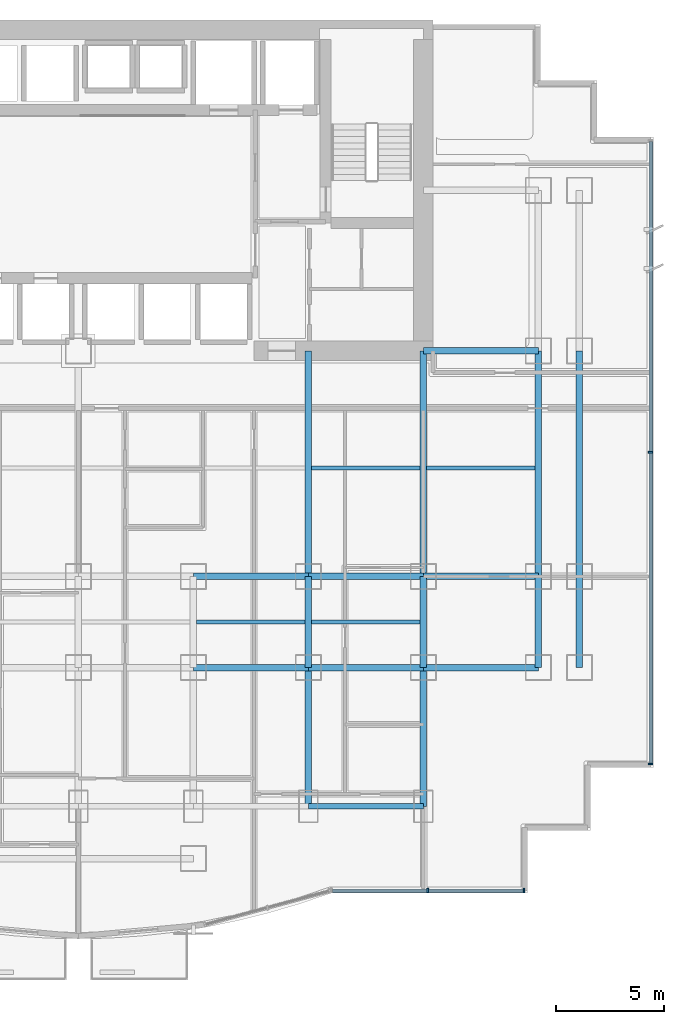
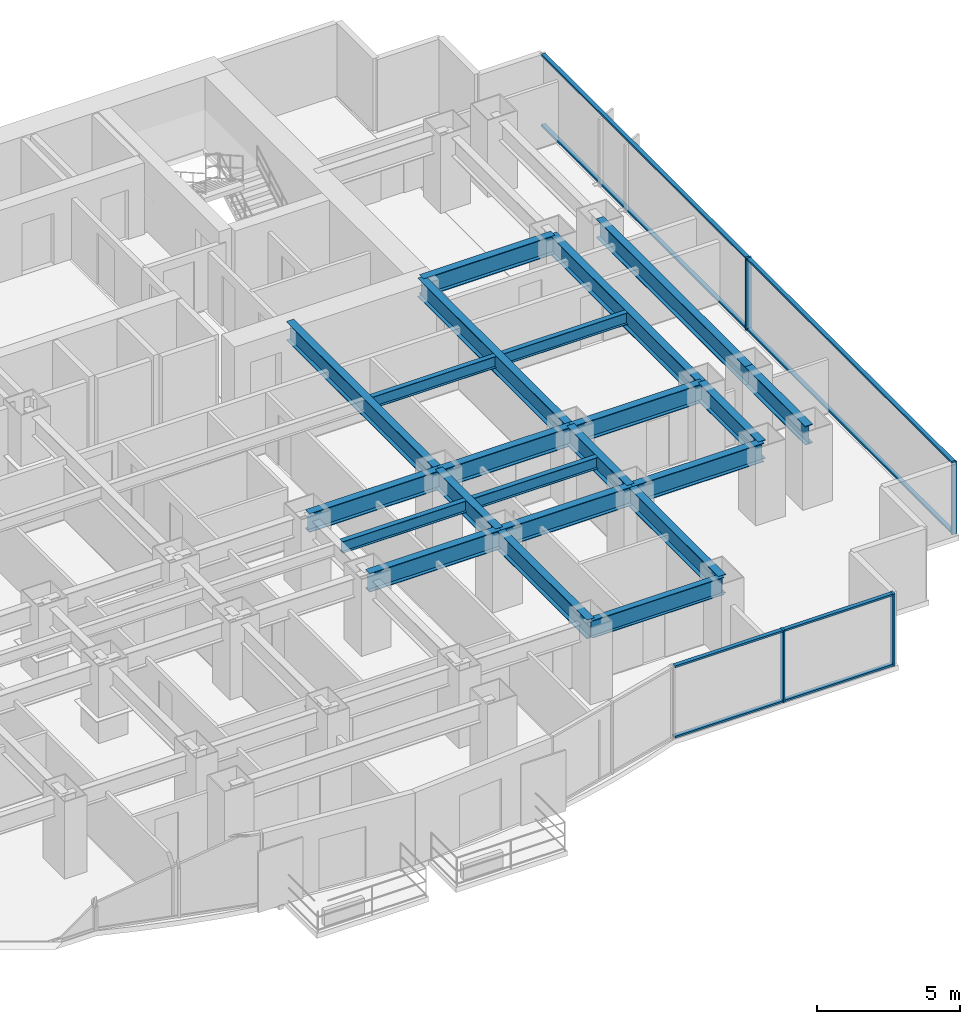
# One storey, part 3 of 12: 22 beams, 12 members, 2 elements without a shape of their own.
"""IFC4 building model written with IfcOpenShell, lengths in metres."""

from ifc_helpers import new_model, si_unit, direction, frame, origin, origin_2d, place, context, subcontext, project, spatial, rectangle, i_section, extrude, source, transform, mapped, material, layer, layer_set, material_profile, profile_set, type_object, element, aggregate, save


model = new_model("IFC4")

# Units and contexts
model_context = context("Model", 3, precision=1e-05, world=origin(), true_north=direction((0.0, 1.0)))
body_context = subcontext(model_context, "Body", "Model", "MODEL_VIEW")
ifc_project = project(units=[si_unit("LENGTHUNIT", "METRE"), si_unit("AREAUNIT", "SQUARE_METRE"), si_unit("VOLUMEUNIT", "CUBIC_METRE"), si_unit("PLANEANGLEUNIT", "RADIAN"), si_unit("MASSUNIT", "GRAM", prefix="KILO")], contexts=[model_context])

# Site, building, storey
site_placement = place(None, origin())
site = spatial("IfcSite", under=ifc_project, at=site_placement, CompositionType="ELEMENT")
building_placement = place(site_placement, origin())
building = spatial("IfcBuilding", under=site, at=building_placement, Name="Qianlan Lanfeng Residences", CompositionType="ELEMENT")
storey_placement = place(building_placement, frame((0.0, 0.0, 47.300048828125)))
storey = spatial("IfcBuildingStorey", under=building, at=storey_placement, Name="L12", CompositionType="ELEMENT", Elevation=47.300048828125)

# Beams
ifc_material_1 = material(Name="Steel SN490B", Category="steel")
ifc_material_profile_1 = material_profile(ifc_material_1, i_section(OverallWidth=0.300048828125, OverallDepth=0.800048828125, WebThickness=0.01611328125, FlangeThickness=0.028076171875, at=origin_2d()), Name="H 800x300x16x28")
ifc_profile_set_1 = profile_set([ifc_material_profile_1], Name="Steel SN490B")
beam_type_1 = type_object("IfcBeamType", Name="G-950", PredefinedType="BEAM", material=ifc_profile_set_1)
beam_1_placement = place(storey_placement, frame((31.800048828125, 10.60009765625, 2.679931640625), z_axis=(1.0, 0.0, 0.0), x_axis=(0.0, 1.0, 0.0)))
element("IfcBeam", 1, at=beam_1_placement, inside=storey, type_object=beam_type_1, Name="Structural beam G-950", PredefinedType="BEAM", context=body_context, shape_type="SweptSolid", body=[
    extrude(i_section(OverallWidth=0.300048828125, OverallDepth=0.800048828125, WebThickness=0.01611328125, FlangeThickness=0.028076171875, at=origin_2d()), origin(), (0.0, 0.0, 1.0), 5.300048828125),
])
beam_2_placement = place(storey_placement, frame((37.10009765625, 10.60009765625, 2.679931640625), z_axis=(1.0, 0.0, 0.0), x_axis=(0.0, 1.0, 0.0)))
element("IfcBeam", 2, at=beam_2_placement, inside=storey, type_object=beam_type_1, Name="Structural beam G-950", PredefinedType="BEAM", context=body_context, shape_type="SweptSolid", body=[
    extrude(i_section(OverallWidth=0.300048828125, OverallDepth=0.800048828125, WebThickness=0.01611328125, FlangeThickness=0.028076171875, at=origin_2d()), origin(), (0.0, 0.0, 1.0), 5.2998046875),
])
for number, where, z_axis, x_axis, name in (
    (3, (42.39990234375, 10.60009765625, 2.679931640625), (1.0, 0.0, 0.0), (0.0, 1.0, 0.0), "Structural beam G-950"),
    (4, (31.800048828125, 14.800048828125, 2.679931640625), (1.0, 0.0, 0.0), (0.0, 1.0, 0.0), "Structural beam G-950"),
):
    element("IfcBeam", number, at=place(storey_placement, frame(where, z_axis=z_axis, x_axis=x_axis)), inside=storey, type_object=beam_type_1, Name=name, PredefinedType="BEAM", context=body_context, shape_type="SweptSolid", body=[
        extrude(i_section(OverallWidth=0.300048828125, OverallDepth=0.800048828125, WebThickness=0.01611328125, FlangeThickness=0.028076171875, at=origin_2d()), origin(), (0.0, 0.0, 1.0), 5.300048828125),
    ])
beam_3_placement = place(storey_placement, frame((37.10009765625, 14.800048828125, 2.679931640625), z_axis=(1.0, 0.0, 0.0), x_axis=(0.0, 1.0, 0.0)))
element("IfcBeam", 5, at=beam_3_placement, inside=storey, type_object=beam_type_1, Name="Structural beam G-950", PredefinedType="BEAM", context=body_context, shape_type="SweptSolid", body=[
    extrude(i_section(OverallWidth=0.300048828125, OverallDepth=0.800048828125, WebThickness=0.01611328125, FlangeThickness=0.028076171875, at=origin_2d()), origin(), (0.0, 0.0, 1.0), 5.2998046875),
])
for number, where, z_axis, x_axis, name in (
    (6, (42.39990234375, 14.800048828125, 2.679931640625), (1.0, 0.0, 0.0), (0.0, 1.0, 0.0), "Structural beam G-950"),
    (7, (42.39990234375, 25.199951171875, 2.679931640625), (1.0, 0.0, 0.0), (0.0, 1.0, 0.0), "Structural beam G-950"),
):
    element("IfcBeam", number, at=place(storey_placement, frame(where, z_axis=z_axis, x_axis=x_axis)), inside=storey, type_object=beam_type_1, Name=name, PredefinedType="BEAM", context=body_context, shape_type="SweptSolid", body=[
        extrude(i_section(OverallWidth=0.300048828125, OverallDepth=0.800048828125, WebThickness=0.01611328125, FlangeThickness=0.028076171875, at=origin_2d()), origin(), (0.0, 0.0, 1.0), 5.300048828125),
    ])
beam_4_placement = place(storey_placement, frame((37.10009765625, 4.199951171875, 2.679931640625), z_axis=(0.0, 1.0, 0.0), x_axis=(-1.0, 0.0, 0.0)))
element("IfcBeam", 8, at=beam_4_placement, inside=storey, type_object=beam_type_1, Name="Structural beam G-950", PredefinedType="BEAM", context=body_context, shape_type="SweptSolid", body=[
    extrude(i_section(OverallWidth=0.300048828125, OverallDepth=0.800048828125, WebThickness=0.01611328125, FlangeThickness=0.028076171875, at=origin_2d()), origin(), (0.0, 0.0, 1.0), 6.400146484375),
])
beam_5_placement = place(storey_placement, frame((37.10009765625, 10.60009765625, 2.679931640625), z_axis=(0.0, 1.0, 0.0), x_axis=(-1.0, 0.0, 0.0)))
element("IfcBeam", 9, at=beam_5_placement, inside=storey, type_object=beam_type_1, Name="Structural beam G-950", PredefinedType="BEAM", context=body_context, shape_type="SweptSolid", body=[
    extrude(i_section(OverallWidth=0.300048828125, OverallDepth=0.800048828125, WebThickness=0.01611328125, FlangeThickness=0.028076171875, at=origin_2d()), origin(), (0.0, 0.0, 1.0), 4.199951171875),
])
beam_6_placement = place(storey_placement, frame((37.10009765625, 14.800048828125, 2.679931640625), z_axis=(0.0, 1.0, 0.0), x_axis=(-1.0, 0.0, 0.0)))
element("IfcBeam", 10, at=beam_6_placement, inside=storey, type_object=beam_type_1, Name="Structural beam G-950", PredefinedType="BEAM", context=body_context, shape_type="SweptSolid", body=[
    extrude(i_section(OverallWidth=0.300048828125, OverallDepth=0.800048828125, WebThickness=0.01611328125, FlangeThickness=0.028076171875, at=origin_2d()), origin(), (0.0, 0.0, 1.0), 10.39990234375),
])
beam_7_placement = place(storey_placement, frame((42.39990234375, 4.199951171875, 2.679931640625), z_axis=(0.0, 1.0, 0.0), x_axis=(-1.0, 0.0, 0.0)))
element("IfcBeam", 11, at=beam_7_placement, inside=storey, type_object=beam_type_1, Name="Structural beam G-950", PredefinedType="BEAM", context=body_context, shape_type="SweptSolid", body=[
    extrude(i_section(OverallWidth=0.300048828125, OverallDepth=0.800048828125, WebThickness=0.01611328125, FlangeThickness=0.028076171875, at=origin_2d()), origin(), (0.0, 0.0, 1.0), 6.400146484375),
])
beam_8_placement = place(storey_placement, frame((42.39990234375, 10.60009765625, 2.679931640625), z_axis=(0.0, 1.0, 0.0), x_axis=(-1.0, 0.0, 0.0)))
element("IfcBeam", 12, at=beam_8_placement, inside=storey, type_object=beam_type_1, Name="Structural beam G-950", PredefinedType="BEAM", context=body_context, shape_type="SweptSolid", body=[
    extrude(i_section(OverallWidth=0.300048828125, OverallDepth=0.800048828125, WebThickness=0.01611328125, FlangeThickness=0.028076171875, at=origin_2d()), origin(), (0.0, 0.0, 1.0), 4.199951171875),
])
beam_9_placement = place(storey_placement, frame((42.39990234375, 14.800048828125, 2.679931640625), z_axis=(0.0, 1.0, 0.0), x_axis=(-1.0, 0.0, 0.0)))
element("IfcBeam", 13, at=beam_9_placement, inside=storey, type_object=beam_type_1, Name="Structural beam G-950", PredefinedType="BEAM", context=body_context, shape_type="SweptSolid", body=[
    extrude(i_section(OverallWidth=0.300048828125, OverallDepth=0.800048828125, WebThickness=0.01611328125, FlangeThickness=0.028076171875, at=origin_2d()), origin(), (0.0, 0.0, 1.0), 10.39990234375),
])
beam_10_placement = place(storey_placement, frame((47.699951171875, 10.60009765625, 2.679931640625), z_axis=(0.0, 1.0, 0.0), x_axis=(-1.0, 0.0, 0.0)))
element("IfcBeam", 14, at=beam_10_placement, inside=storey, type_object=beam_type_1, Name="Structural beam G-950", PredefinedType="BEAM", context=body_context, shape_type="SweptSolid", body=[
    extrude(i_section(OverallWidth=0.300048828125, OverallDepth=0.800048828125, WebThickness=0.01611328125, FlangeThickness=0.028076171875, at=origin_2d()), origin(), (0.0, 0.0, 1.0), 4.199951171875),
])
beam_11_placement = place(storey_placement, frame((47.699951171875, 14.800048828125, 2.679931640625), z_axis=(0.0, 1.0, 0.0), x_axis=(-1.0, 0.0, 0.0)))
element("IfcBeam", 15, at=beam_11_placement, inside=storey, type_object=beam_type_1, Name="Structural beam G-950", PredefinedType="BEAM", context=body_context, shape_type="SweptSolid", body=[
    extrude(i_section(OverallWidth=0.300048828125, OverallDepth=0.800048828125, WebThickness=0.01611328125, FlangeThickness=0.028076171875, at=origin_2d()), origin(), (0.0, 0.0, 1.0), 10.39990234375),
])
beam_12_placement = place(storey_placement, frame((49.60009765625, 10.60009765625, 2.679931640625), z_axis=(0.0, 1.0, 0.0), x_axis=(-1.0, 0.0, 0.0)))
element("IfcBeam", 16, at=beam_12_placement, inside=storey, type_object=beam_type_1, Name="Structural beam G-950", PredefinedType="BEAM", context=body_context, shape_type="SweptSolid", body=[
    extrude(i_section(OverallWidth=0.300048828125, OverallDepth=0.800048828125, WebThickness=0.01611328125, FlangeThickness=0.028076171875, at=origin_2d()), origin(), (0.0, 0.0, 1.0), 4.199951171875),
])
beam_13_placement = place(storey_placement, frame((49.60009765625, 14.800048828125, 2.679931640625), z_axis=(0.0, 1.0, 0.0), x_axis=(-1.0, 0.0, 0.0)))
element("IfcBeam", 17, at=beam_13_placement, inside=storey, type_object=beam_type_1, Name="Structural beam G-950", PredefinedType="BEAM", context=body_context, shape_type="SweptSolid", body=[
    extrude(i_section(OverallWidth=0.300048828125, OverallDepth=0.800048828125, WebThickness=0.01611328125, FlangeThickness=0.028076171875, at=origin_2d()), origin(), (0.0, 0.0, 1.0), 10.39990234375),
])
ifc_material_profile_2 = material_profile(ifc_material_1, i_section(OverallWidth=0.199951171875, OverallDepth=0.5, WebThickness=0.010009765625, FlangeThickness=0.01611328125, at=origin_2d()), Name="H 500x200x10x16")
ifc_profile_set_2 = profile_set([ifc_material_profile_2], Name="Steel SN490B")
beam_type_2 = type_object("IfcBeamType", Name="J-500", PredefinedType="JOIST", material=ifc_profile_set_2)
for number, where, z_axis, x_axis, name in (
    (18, (31.949951171875, 12.699951171875, 2.829833984375), (1.0, 0.0, 0.0), (0.0, 1.0, 0.0), "Structural beam J-500"),
    (19, (37.25, 12.699951171875, 2.829833984375), (1.0, 0.0, 0.0), (0.0, 1.0, 0.0), "Structural beam J-500"),
    (20, (37.25, 19.800048828125, 2.829833984375), (1.0, 0.0, 0.0), (0.0, 1.0, 0.0), "Structural beam J-500"),
    (21, (42.550048828125, 19.800048828125, 2.829833984375), (1.0, 0.0, 0.0), (0.0, 1.0, 0.0), "Structural beam J-500"),
):
    element("IfcBeam", number, at=place(storey_placement, frame(where, z_axis=z_axis, x_axis=x_axis)), inside=storey, type_object=beam_type_2, Name=name, PredefinedType="JOIST", context=body_context, shape_type="SweptSolid", body=[
        extrude(i_section(OverallWidth=0.199951171875, OverallDepth=0.5, WebThickness=0.010009765625, FlangeThickness=0.01611328125, at=origin_2d()), origin(), (0.0, 0.0, 1.0), 5.0),
    ])
ifc_material_profile_3 = material_profile(ifc_material_1, i_section(OverallWidth=0.25, OverallDepth=0.75, WebThickness=0.013916015625, FlangeThickness=0.02490234375, at=origin_2d()), Name="H 750x250x14x25")
ifc_profile_set_3 = profile_set([ifc_material_profile_3], Name="Steel SN490B")
beam_type_3 = type_object("IfcBeamType", Name="SG-850", PredefinedType="SPANDREL", material=ifc_profile_set_3)
beam_14_placement = place(storey_placement, frame((37.10009765625, 4.199951171875, 2.704833984375), z_axis=(1.0, 0.0, 0.0), x_axis=(0.0, 1.0, 0.0)))
element("IfcBeam", 22, at=beam_14_placement, inside=storey, type_object=beam_type_3, Name="Structural beam SG-850", PredefinedType="SPANDREL", context=body_context, shape_type="SweptSolid", body=[
    extrude(i_section(OverallWidth=0.25, OverallDepth=0.75, WebThickness=0.013916015625, FlangeThickness=0.02490234375, at=origin_2d()), origin(), (0.0, 0.0, 1.0), 5.2998046875),
])

# Curtain wall, members
ifc_material_2 = material(Name="Anodised Bronze Aluminium 6063-T6", Category="aluminium")
ifc_layer = layer(ifc_material_2, 0.219970703125)
ifc_layer_set = layer_set([ifc_layer], Name="Anodised Bronze Aluminium 6063-T6")
curtain_wall_type = type_object("IfcCurtainWallType", Name="CW-02", PredefinedType="NOTDEFINED", material=ifc_layer_set)
curtain_wall_1_placement = place(storey_placement, origin())
curtain_wall_1 = element("IfcCurtainWall", 23, at=curtain_wall_1_placement, inside=storey, type_object=curtain_wall_type, Name="L12 Unitised Curtain Wall CWR-L12-04 (CW-02)", PredefinedType="NOTDEFINED")
ifc_material_profile_4 = material_profile(ifc_material_2, rectangle(XDim=0.080078125, YDim=0.159912109375, at=origin_2d()), Name="ALU TRANSOM 80x160")
ifc_profile_set_4 = profile_set([ifc_material_profile_4], Name="Anodised Bronze Aluminium 6063-T6")
member_type_1 = type_object("IfcMemberType", Name="CWT-180", PredefinedType="USERDEFINED", material=ifc_profile_set_4)
shared_shape_1 = source(origin(), body_context, "Body", "SweptSolid", [
    extrude(rectangle(XDim=0.080078125, YDim=0.159912109375, at=origin_2d()), origin(), (0.0, 0.0, 1.0), 4.35498046875),
])
member_1_placement = place(storey_placement, frame((38.2099609375, 0.320068359375, 0.0400390625), z_axis=(1.0, 0.0, 0.0), x_axis=(0.0, 0.0, 1.0)))
member_1 = element("IfcMember", 24, at=member_1_placement, type_object=member_type_1, Name="CWR-L12-04 Transom 1-BOT", ObjectType="TRANSOM", PredefinedType="USERDEFINED", context=body_context, shape_type="MappedRepresentation", body=[
    mapped(shared_shape_1, transform((0.0, 0.0, 0.0), scale=1.0)),
])
member_2_placement = place(storey_placement, frame((38.2099609375, 0.320068359375, 3.0400390625), z_axis=(1.0, 0.0, 0.0), x_axis=(0.0, 0.0, 1.0)))
member_2 = element("IfcMember", 25, at=member_2_placement, type_object=member_type_1, Name="CWR-L12-04 Transom 1-TOP", ObjectType="TRANSOM", PredefinedType="USERDEFINED", context=body_context, shape_type="MappedRepresentation", body=[
    mapped(shared_shape_1, transform((0.0, 0.0, 0.0), scale=1.0)),
])
member_3_placement = place(storey_placement, frame((42.64501953125, 0.320068359375, 0.0400390625), z_axis=(1.0, 0.0, 0.0), x_axis=(0.0, 0.0, 1.0)))
member_3 = element("IfcMember", 26, at=member_3_placement, type_object=member_type_1, Name="CWR-L12-04 Transom 2-BOT", ObjectType="TRANSOM", PredefinedType="USERDEFINED", context=body_context, shape_type="MappedRepresentation", body=[
    mapped(shared_shape_1, transform((0.0, 0.0, 0.0), scale=1.0)),
])
member_4_placement = place(storey_placement, frame((42.64501953125, 0.320068359375, 3.0400390625), z_axis=(1.0, 0.0, 0.0), x_axis=(0.0, 0.0, 1.0)))
member_4 = element("IfcMember", 27, at=member_4_placement, type_object=member_type_1, Name="CWR-L12-04 Transom 2-TOP", ObjectType="TRANSOM", PredefinedType="USERDEFINED", context=body_context, shape_type="MappedRepresentation", body=[
    mapped(shared_shape_1, transform((0.0, 0.0, 0.0), scale=1.0)),
])

curtain_wall_2_placement = place(storey_placement, origin())
curtain_wall_2 = element("IfcCurtainWall", 28, at=curtain_wall_2_placement, inside=storey, type_object=curtain_wall_type, Name="L12 Unitised Curtain Wall CWR-L12-05 (CW-02)", PredefinedType="NOTDEFINED")
shared_shape_2 = source(origin(), body_context, "Body", "SweptSolid", [
    extrude(rectangle(XDim=0.080078125, YDim=0.159912109375, at=origin_2d()), origin(), (0.0, 0.0, 1.0), 14.28515625),
])
member_5_placement = place(storey_placement, frame((52.8798828125, 6.199951171875, 0.0400390625), z_axis=(0.0, 1.0, 0.0), x_axis=(0.0, 0.0, 1.0)))
member_5 = element("IfcMember", 29, at=member_5_placement, type_object=member_type_1, Name="CWR-L12-05 Transom 1-BOT", ObjectType="TRANSOM", PredefinedType="USERDEFINED", context=body_context, shape_type="MappedRepresentation", body=[
    mapped(shared_shape_2, transform((0.0, 0.0, 0.0), scale=1.0)),
])
member_6_placement = place(storey_placement, frame((52.8798828125, 6.199951171875, 3.0400390625), z_axis=(0.0, 1.0, 0.0), x_axis=(0.0, 0.0, 1.0)))
member_6 = element("IfcMember", 30, at=member_6_placement, type_object=member_type_1, Name="CWR-L12-05 Transom 1-TOP", ObjectType="TRANSOM", PredefinedType="USERDEFINED", context=body_context, shape_type="MappedRepresentation", body=[
    mapped(shared_shape_2, transform((0.0, 0.0, 0.0), scale=1.0)),
])
member_7_placement = place(storey_placement, frame((52.8798828125, 20.56494140625, 0.0400390625), z_axis=(0.0, 1.0, 0.0), x_axis=(0.0, 0.0, 1.0)))
member_7 = element("IfcMember", 31, at=member_7_placement, type_object=member_type_1, Name="CWR-L12-05 Transom 2-BOT", ObjectType="TRANSOM", PredefinedType="USERDEFINED", context=body_context, shape_type="MappedRepresentation", body=[
    mapped(shared_shape_2, transform((0.0, 0.0, 0.0), scale=1.0)),
])
member_8_placement = place(storey_placement, frame((52.8798828125, 20.56494140625, 3.0400390625), z_axis=(0.0, 1.0, 0.0), x_axis=(0.0, 0.0, 1.0)))
member_8 = element("IfcMember", 32, at=member_8_placement, type_object=member_type_1, Name="CWR-L12-05 Transom 2-TOP", ObjectType="TRANSOM", PredefinedType="USERDEFINED", context=body_context, shape_type="MappedRepresentation", body=[
    mapped(shared_shape_2, transform((0.0, 0.0, 0.0), scale=1.0)),
])

# Member
ifc_material_profile_5 = material_profile(ifc_material_2, rectangle(XDim=0.080078125, YDim=0.2099609375, at=origin_2d()), Name="ALU MULLION 80x210")
ifc_profile_set_5 = profile_set([ifc_material_profile_5], Name="Anodised Bronze Aluminium 6063-T6")
member_type_2 = type_object("IfcMemberType", Name="CWM-220", PredefinedType="MULLION", material=ifc_profile_set_5)
shared_shape_3 = source(origin(), body_context, "Body", "SweptSolid", [
    extrude(rectangle(XDim=0.080078125, YDim=0.2099609375, at=origin_2d()), origin(), (0.0, 0.0, 1.0), 3.079833984375),
])
member_9_placement = place(storey_placement, frame((42.60498046875, 0.320068359375, 0.0), z_axis=(0.0, 0.0, 1.0), x_axis=(1.0, 0.0, 0.0)))
member_9 = element("IfcMember", 33, at=member_9_placement, type_object=member_type_2, Name="CWR-L12-04 Mullion 2", PredefinedType="MULLION", context=body_context, shape_type="MappedRepresentation", body=[
    mapped(shared_shape_3, transform((0.0, 0.0, 0.0), scale=1.0)),
])

member_10_placement = place(storey_placement, frame((47.0400390625, 0.320068359375, 0.0), z_axis=(0.0, 0.0, 1.0), x_axis=(1.0, 0.0, 0.0)))
member_10 = element("IfcMember", 34, at=member_10_placement, type_object=member_type_2, Name="CWR-L12-04 Mullion 3", PredefinedType="MULLION", context=body_context, shape_type="MappedRepresentation", body=[
    mapped(shared_shape_3, transform((0.0, 0.0, 0.0), scale=1.0)),
])

aggregate(curtain_wall_1, [member_9, member_10, member_1, member_2, member_3, member_4])

member_11_placement = place(storey_placement, frame((52.8798828125, 6.159912109375, 0.0), z_axis=(0.0, 0.0, 1.0), x_axis=(0.0, 1.0, 0.0)))
member_11 = element("IfcMember", 35, at=member_11_placement, type_object=member_type_2, Name="CWR-L12-05 Mullion 1", PredefinedType="MULLION", context=body_context, shape_type="MappedRepresentation", body=[
    mapped(shared_shape_3, transform((0.0, 0.0, 0.0), scale=1.0)),
])

member_12_placement = place(storey_placement, frame((52.8798828125, 20.52490234375, 0.0), z_axis=(0.0, 0.0, 1.0), x_axis=(0.0, 1.0, 0.0)))
member_12 = element("IfcMember", 36, at=member_12_placement, type_object=member_type_2, Name="CWR-L12-05 Mullion 2", PredefinedType="MULLION", context=body_context, shape_type="MappedRepresentation", body=[
    mapped(shared_shape_3, transform((0.0, 0.0, 0.0), scale=1.0)),
])

aggregate(curtain_wall_2, [member_11, member_12, member_5, member_6, member_7, member_8])

save(model, "model.ifc")
